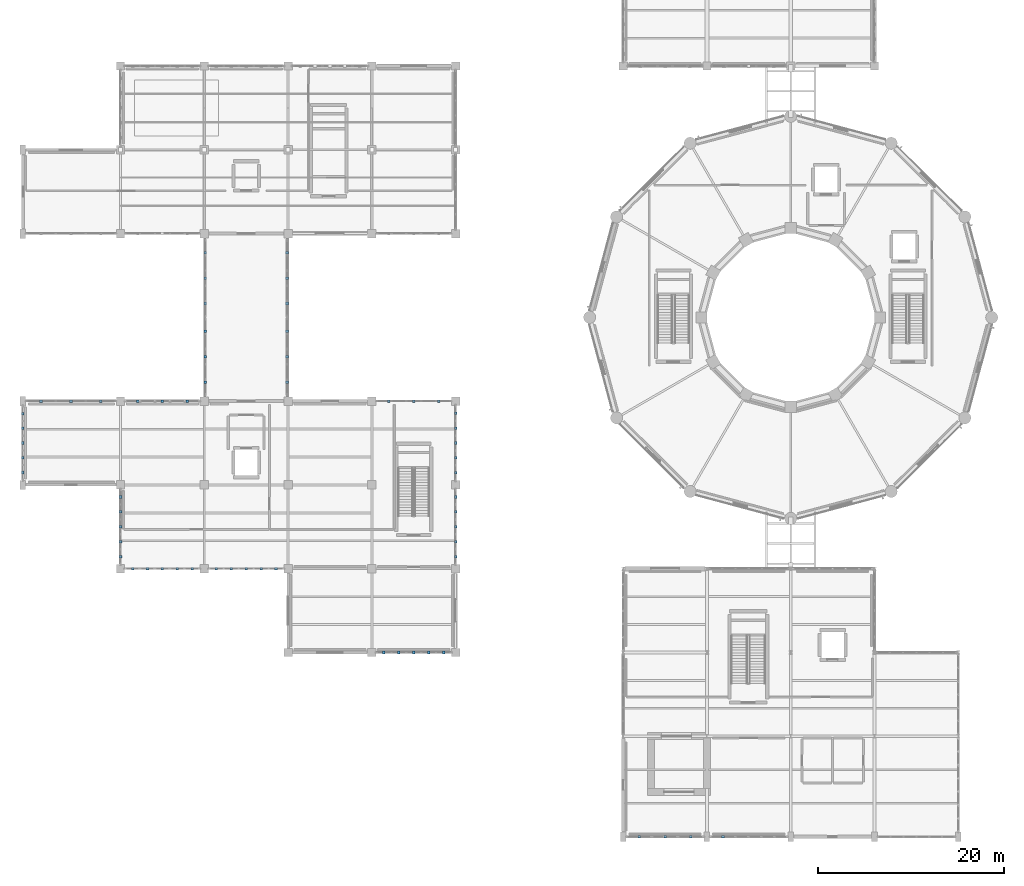
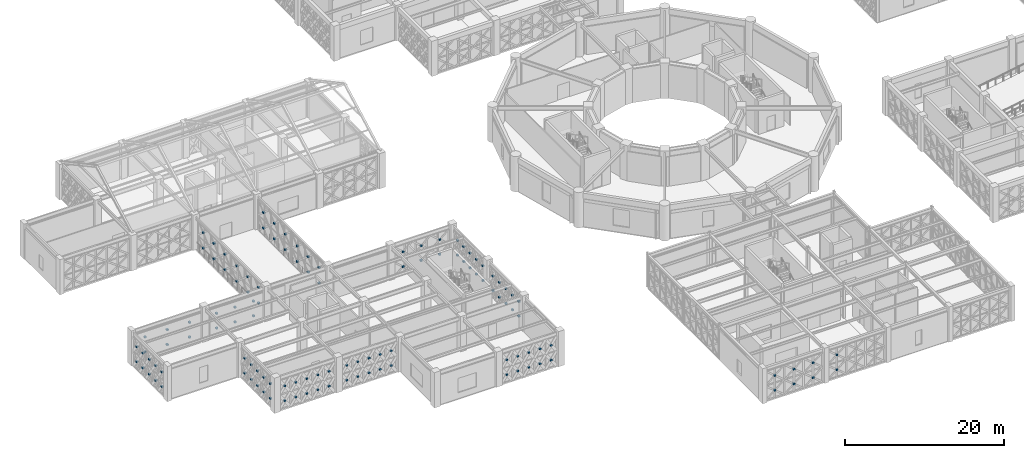
# One storey, part 149 of 166: 120 discrete accessories.
"""IFC4 building model written with IfcOpenShell, lengths in metres."""

from ifc_helpers import new_model, si_unit, direction, frame, origin, origin_2d, place, context, subcontext, project, spatial, rectangle, extrude, material, type_object, element, save


model = new_model("IFC4")

# Units and contexts
model_context = context("Model", 3, precision=1e-05, world=origin(), true_north=direction((0.0, 1.0)))
body_context = subcontext(model_context, "Body", "Model", "MODEL_VIEW")
ifc_project = project(units=[si_unit("LENGTHUNIT", "METRE"), si_unit("AREAUNIT", "SQUARE_METRE"), si_unit("VOLUMEUNIT", "CUBIC_METRE"), si_unit("PLANEANGLEUNIT", "RADIAN"), si_unit("MASSUNIT", "GRAM", prefix="KILO")], contexts=[model_context])

# Site, building, storey
site_placement = place(None, origin())
site = spatial("IfcSite", under=ifc_project, at=site_placement, CompositionType="ELEMENT")
building_placement = place(site_placement, origin())
building = spatial("IfcBuilding", under=site, at=building_placement, Name="Haizhuo Lancet Aquarium", CompositionType="ELEMENT")
storey_placement = place(building_placement, frame((0.0, 0.0, 5.39990234375)))
storey = spatial("IfcBuildingStorey", under=building, at=storey_placement, Name="L01", CompositionType="ELEMENT", Elevation=5.39990234375)

# Discrete accessories
ifc_material = material(Name="Steel S355", Category="steel")
discrete_accessory_type = type_object("IfcDiscreteAccessoryType", Name="ACC-END-CAP", PredefinedType="BRACKET", material=ifc_material)
for number, where, z_axis, x_axis, name in (
    (1, (-7.27001953125, -55.800048828125, 1.01806640625), (0.0, 0.0, 1.0), (1.0, 0.0, 0.0), "L01 X-brace crossing gusset plate XN-CW-V4-L01-098-LB05B1"),
    (2, (-7.27001953125, -55.800048828125, 3.2939453125), (0.0, 0.0, 1.0), (1.0, 0.0, 0.0), "L01 X-brace crossing gusset plate XN-CW-V4-L01-098-LB06B1"),
    (3, (-10.72998046875, -55.800048828125, 1.01806640625), (0.0, 0.0, 1.0), (1.0, 0.0, 0.0), "L01 X-brace crossing gusset plate XN-CW-V4-L01-099-LB01B1"),
    (4, (-10.72998046875, -55.800048828125, 3.2939453125), (0.0, 0.0, 1.0), (1.0, 0.0, 0.0), "L01 X-brace crossing gusset plate XN-CW-V4-L01-099-LB02B1"),
    (5, (-13.5, -55.800048828125, 1.01806640625), (0.0, 0.0, 1.0), (1.0, 0.0, 0.0), "L01 X-brace crossing gusset plate XN-CW-V4-L01-099-LB03B1"),
    (6, (-13.5, -55.800048828125, 3.2939453125), (0.0, 0.0, 1.0), (1.0, 0.0, 0.0), "L01 X-brace crossing gusset plate XN-CW-V4-L01-099-LB04B1"),
    (7, (-16.27001953125, -55.800048828125, 1.01806640625), (0.0, 0.0, 1.0), (1.0, 0.0, 0.0), "L01 X-brace crossing gusset plate XN-CW-V4-L01-099-LB05B1"),
    (8, (-16.27001953125, -55.800048828125, 3.2939453125), (0.0, 0.0, 1.0), (1.0, 0.0, 0.0), "L01 X-brace crossing gusset plate XN-CW-V4-L01-099-LB06B1"),
    (9, (-82.5, -16.6640625, 1.01513671875), (0.0, 0.0, 1.0), (1.0, 0.0, 0.0), "L01 X-brace crossing gusset plate XN-CW-V6-L01-202-LB01B1"),
    (10, (-82.5, -16.6640625, 3.28515625), (0.0, 0.0, 1.0), (1.0, 0.0, 0.0), "L01 X-brace crossing gusset plate XN-CW-V6-L01-202-LB02B1"),
    (11, (-82.5, -15.08203125, 1.01513671875), (0.0, 0.0, 1.0), (1.0, 0.0, 0.0), "L01 X-brace crossing gusset plate XN-CW-V6-L01-202-LB03B1"),
    (12, (-82.5, -15.08203125, 3.28515625), (0.0, 0.0, 1.0), (1.0, 0.0, 0.0), "L01 X-brace crossing gusset plate XN-CW-V6-L01-202-LB04B1"),
    (13, (-82.5, -13.5, 1.01513671875), (0.0, 0.0, 1.0), (1.0, 0.0, 0.0), "L01 X-brace crossing gusset plate XN-CW-V6-L01-202-LB05B1"),
    (14, (-82.5, -13.5, 3.28515625), (0.0, 0.0, 1.0), (1.0, 0.0, 0.0), "L01 X-brace crossing gusset plate XN-CW-V6-L01-202-LB06B1"),
    (15, (-82.5, -11.91796875, 1.01513671875), (0.0, 0.0, 1.0), (1.0, 0.0, 0.0), "L01 X-brace crossing gusset plate XN-CW-V6-L01-202-LB07B1"),
    (16, (-82.5, -11.91796875, 3.28515625), (0.0, 0.0, 1.0), (1.0, 0.0, 0.0), "L01 X-brace crossing gusset plate XN-CW-V6-L01-202-LB08B1"),
    (17, (-82.5, -10.3359375, 1.01513671875), (0.0, 0.0, 1.0), (1.0, 0.0, 0.0), "L01 X-brace crossing gusset plate XN-CW-V6-L01-202-LB09B1"),
    (18, (-82.5, -10.3359375, 3.28515625), (0.0, 0.0, 1.0), (1.0, 0.0, 0.0), "L01 X-brace crossing gusset plate XN-CW-V6-L01-202-LB10B1"),
    (19, (-80.544921875, -9.0, 1.01513671875), (0.0, 0.0, 1.0), (1.0, 0.0, 0.0), "L01 X-brace crossing gusset plate XN-CW-V6-L01-203-LB01B1"),
    (20, (-80.544921875, -9.0, 3.28515625), (0.0, 0.0, 1.0), (1.0, 0.0, 0.0), "L01 X-brace crossing gusset plate XN-CW-V6-L01-203-LB02B1"),
    (21, (-77.324951171875, -9.0, 1.01513671875), (0.0, 0.0, 1.0), (1.0, 0.0, 0.0), "L01 X-brace crossing gusset plate XN-CW-V6-L01-203-LB03B1"),
    (22, (-77.324951171875, -9.0, 3.28515625), (0.0, 0.0, 1.0), (1.0, 0.0, 0.0), "L01 X-brace crossing gusset plate XN-CW-V6-L01-203-LB04B1"),
    (23, (-74.10498046875, -9.0, 1.01513671875), (0.0, 0.0, 1.0), (1.0, 0.0, 0.0), "L01 X-brace crossing gusset plate XN-CW-V6-L01-203-LB05B1"),
    (24, (-74.10498046875, -9.0, 3.28515625), (0.0, 0.0, 1.0), (1.0, 0.0, 0.0), "L01 X-brace crossing gusset plate XN-CW-V6-L01-203-LB06B1"),
    (25, (-70.169921875, -9.0, 1.01513671875), (0.0, 0.0, 1.0), (1.0, 0.0, 0.0), "L01 X-brace crossing gusset plate XN-CW-V6-L01-204-LB01B1"),
    (26, (-70.169921875, -9.0, 3.28515625), (0.0, 0.0, 1.0), (1.0, 0.0, 0.0), "L01 X-brace crossing gusset plate XN-CW-V6-L01-204-LB02B1"),
    (27, (-67.5, -9.0, 1.01513671875), (0.0, 0.0, 1.0), (1.0, 0.0, 0.0), "L01 X-brace crossing gusset plate XN-CW-V6-L01-204-LB03B1"),
    (28, (-67.5, -9.0, 3.28515625), (0.0, 0.0, 1.0), (1.0, 0.0, 0.0), "L01 X-brace crossing gusset plate XN-CW-V6-L01-204-LB04B1"),
    (29, (-64.830078125, -9.0, 1.01513671875), (0.0, 0.0, 1.0), (1.0, 0.0, 0.0), "L01 X-brace crossing gusset plate XN-CW-V6-L01-204-LB05B1"),
    (30, (-64.830078125, -9.0, 3.28515625), (0.0, 0.0, 1.0), (1.0, 0.0, 0.0), "L01 X-brace crossing gusset plate XN-CW-V6-L01-204-LB06B1"),
    (31, (-43.169921875, -9.0, 1.01513671875), (0.0, 0.0, 1.0), (1.0, 0.0, 0.0), "L01 X-brace crossing gusset plate XN-CW-V6-L01-205-LB01B1"),
    (32, (-43.169921875, -9.0, 3.28515625), (0.0, 0.0, 1.0), (1.0, 0.0, 0.0), "L01 X-brace crossing gusset plate XN-CW-V6-L01-205-LB02B1"),
    (33, (-40.5, -9.0, 1.01513671875), (0.0, 0.0, 1.0), (1.0, 0.0, 0.0), "L01 X-brace crossing gusset plate XN-CW-V6-L01-205-LB03B1"),
    (34, (-40.5, -9.0, 3.28515625), (0.0, 0.0, 1.0), (1.0, 0.0, 0.0), "L01 X-brace crossing gusset plate XN-CW-V6-L01-205-LB04B1"),
    (35, (-37.830078125, -9.0, 1.01513671875), (0.0, 0.0, 1.0), (1.0, 0.0, 0.0), "L01 X-brace crossing gusset plate XN-CW-V6-L01-205-LB05B1"),
    (36, (-37.830078125, -9.0, 3.28515625), (0.0, 0.0, 1.0), (1.0, 0.0, 0.0), "L01 X-brace crossing gusset plate XN-CW-V6-L01-205-LB06B1"),
    (37, (-36.0, -10.2958984375, 1.01513671875), (0.0, 0.0, 1.0), (1.0, 0.0, 0.0), "L01 X-brace crossing gusset plate XN-CW-V6-L01-206-LB01B1"),
    (38, (-36.0, -10.2958984375, 3.28515625), (0.0, 0.0, 1.0), (1.0, 0.0, 0.0), "L01 X-brace crossing gusset plate XN-CW-V6-L01-206-LB02B1"),
    (39, (-36.0, -11.89794921875, 1.01513671875), (0.0, 0.0, 1.0), (1.0, 0.0, 0.0), "L01 X-brace crossing gusset plate XN-CW-V6-L01-206-LB03B1"),
    (40, (-36.0, -11.89794921875, 3.28515625), (0.0, 0.0, 1.0), (1.0, 0.0, 0.0), "L01 X-brace crossing gusset plate XN-CW-V6-L01-206-LB04B1"),
    (41, (-36.0, -13.5, 1.01513671875), (0.0, 0.0, 1.0), (1.0, 0.0, 0.0), "L01 X-brace crossing gusset plate XN-CW-V6-L01-206-LB05B1"),
    (42, (-36.0, -13.5, 3.28515625), (0.0, 0.0, 1.0), (1.0, 0.0, 0.0), "L01 X-brace crossing gusset plate XN-CW-V6-L01-206-LB06B1"),
    (43, (-36.0, -15.10205078125, 1.01513671875), (0.0, 0.0, 1.0), (1.0, 0.0, 0.0), "L01 X-brace crossing gusset plate XN-CW-V6-L01-206-LB07B1"),
    (44, (-36.0, -15.10205078125, 3.28515625), (0.0, 0.0, 1.0), (1.0, 0.0, 0.0), "L01 X-brace crossing gusset plate XN-CW-V6-L01-206-LB08B1"),
    (45, (-36.0, -16.7041015625, 1.01513671875), (0.0, 0.0, 1.0), (1.0, 0.0, 0.0), "L01 X-brace crossing gusset plate XN-CW-V6-L01-206-LB09B1"),
    (46, (-36.0, -16.7041015625, 3.28515625), (0.0, 0.0, 1.0), (1.0, 0.0, 0.0), "L01 X-brace crossing gusset plate XN-CW-V6-L01-206-LB10B1"),
    (47, (-36.0, -19.2958984375, 1.01513671875), (0.0, 0.0, 1.0), (1.0, 0.0, 0.0), "L01 X-brace crossing gusset plate XN-CW-V6-L01-207-LB01B1"),
    (48, (-36.0, -19.2958984375, 3.28515625), (0.0, 0.0, 1.0), (1.0, 0.0, 0.0), "L01 X-brace crossing gusset plate XN-CW-V6-L01-207-LB02B1"),
    (49, (-36.0, -20.89794921875, 1.01513671875), (0.0, 0.0, 1.0), (1.0, 0.0, 0.0), "L01 X-brace crossing gusset plate XN-CW-V6-L01-207-LB03B1"),
    (50, (-36.0, -20.89794921875, 3.28515625), (0.0, 0.0, 1.0), (1.0, 0.0, 0.0), "L01 X-brace crossing gusset plate XN-CW-V6-L01-207-LB04B1"),
    (51, (-36.0, -22.5, 1.01513671875), (0.0, 0.0, 1.0), (1.0, 0.0, 0.0), "L01 X-brace crossing gusset plate XN-CW-V6-L01-207-LB05B1"),
    (52, (-36.0, -22.5, 3.28515625), (0.0, 0.0, 1.0), (1.0, 0.0, 0.0), "L01 X-brace crossing gusset plate XN-CW-V6-L01-207-LB06B1"),
    (53, (-36.0, -24.10205078125, 1.01513671875), (0.0, 0.0, 1.0), (1.0, 0.0, 0.0), "L01 X-brace crossing gusset plate XN-CW-V6-L01-207-LB07B1"),
    (54, (-36.0, -24.10205078125, 3.28515625), (0.0, 0.0, 1.0), (1.0, 0.0, 0.0), "L01 X-brace crossing gusset plate XN-CW-V6-L01-207-LB08B1"),
    (55, (-36.0, -25.7041015625, 1.01513671875), (0.0, 0.0, 1.0), (1.0, 0.0, 0.0), "L01 X-brace crossing gusset plate XN-CW-V6-L01-207-LB09B1"),
    (56, (-36.0, -25.7041015625, 3.28515625), (0.0, 0.0, 1.0), (1.0, 0.0, 0.0), "L01 X-brace crossing gusset plate XN-CW-V6-L01-207-LB10B1"),
    (57, (-37.2958984375, -36.0, 1.01513671875), (0.0, 0.0, 1.0), (1.0, 0.0, 0.0), "L01 X-brace crossing gusset plate XN-CW-V6-L01-208-LB01B1"),
    (58, (-37.2958984375, -36.0, 3.28515625), (0.0, 0.0, 1.0), (1.0, 0.0, 0.0), "L01 X-brace crossing gusset plate XN-CW-V6-L01-208-LB02B1"),
    (59, (-38.89794921875, -36.0, 1.01513671875), (0.0, 0.0, 1.0), (1.0, 0.0, 0.0), "L01 X-brace crossing gusset plate XN-CW-V6-L01-208-LB03B1"),
    (60, (-38.89794921875, -36.0, 3.28515625), (0.0, 0.0, 1.0), (1.0, 0.0, 0.0), "L01 X-brace crossing gusset plate XN-CW-V6-L01-208-LB04B1"),
    (61, (-40.5, -36.0, 1.01513671875), (0.0, 0.0, 1.0), (1.0, 0.0, 0.0), "L01 X-brace crossing gusset plate XN-CW-V6-L01-208-LB05B1"),
    (62, (-40.5, -36.0, 3.28515625), (0.0, 0.0, 1.0), (1.0, 0.0, 0.0), "L01 X-brace crossing gusset plate XN-CW-V6-L01-208-LB06B1"),
    (63, (-42.10205078125, -36.0, 1.01513671875), (0.0, 0.0, 1.0), (1.0, 0.0, 0.0), "L01 X-brace crossing gusset plate XN-CW-V6-L01-208-LB07B1"),
    (64, (-42.10205078125, -36.0, 3.28515625), (0.0, 0.0, 1.0), (1.0, 0.0, 0.0), "L01 X-brace crossing gusset plate XN-CW-V6-L01-208-LB08B1"),
    (65, (-43.7041015625, -36.0, 1.01513671875), (0.0, 0.0, 1.0), (1.0, 0.0, 0.0), "L01 X-brace crossing gusset plate XN-CW-V6-L01-208-LB09B1"),
    (66, (-43.7041015625, -36.0, 3.28515625), (0.0, 0.0, 1.0), (1.0, 0.0, 0.0), "L01 X-brace crossing gusset plate XN-CW-V6-L01-208-LB10B1"),
    (67, (-55.2958984375, -27.0, 1.01513671875), (0.0, 0.0, 1.0), (1.0, 0.0, 0.0), "L01 X-brace crossing gusset plate XN-CW-V6-L01-209-LB01B1"),
    (68, (-55.2958984375, -27.0, 3.28515625), (0.0, 0.0, 1.0), (1.0, 0.0, 0.0), "L01 X-brace crossing gusset plate XN-CW-V6-L01-209-LB02B1"),
    (69, (-56.89794921875, -27.0, 1.01513671875), (0.0, 0.0, 1.0), (1.0, 0.0, 0.0), "L01 X-brace crossing gusset plate XN-CW-V6-L01-209-LB03B1"),
    (70, (-56.89794921875, -27.0, 3.28515625), (0.0, 0.0, 1.0), (1.0, 0.0, 0.0), "L01 X-brace crossing gusset plate XN-CW-V6-L01-209-LB04B1"),
    (71, (-58.5, -27.0, 1.01513671875), (0.0, 0.0, 1.0), (1.0, 0.0, 0.0), "L01 X-brace crossing gusset plate XN-CW-V6-L01-209-LB05B1"),
    (72, (-58.5, -27.0, 3.28515625), (0.0, 0.0, 1.0), (1.0, 0.0, 0.0), "L01 X-brace crossing gusset plate XN-CW-V6-L01-209-LB06B1"),
    (73, (-60.10205078125, -27.0, 1.01513671875), (0.0, 0.0, 1.0), (1.0, 0.0, 0.0), "L01 X-brace crossing gusset plate XN-CW-V6-L01-209-LB07B1"),
    (74, (-60.10205078125, -27.0, 3.28515625), (0.0, 0.0, 1.0), (1.0, 0.0, 0.0), "L01 X-brace crossing gusset plate XN-CW-V6-L01-209-LB08B1"),
    (75, (-61.7041015625, -27.0, 1.01513671875), (0.0, 0.0, 1.0), (1.0, 0.0, 0.0), "L01 X-brace crossing gusset plate XN-CW-V6-L01-209-LB09B1"),
    (76, (-61.7041015625, -27.0, 3.28515625), (0.0, 0.0, 1.0), (1.0, 0.0, 0.0), "L01 X-brace crossing gusset plate XN-CW-V6-L01-209-LB10B1"),
    (77, (-64.2958984375, -27.0, 1.01513671875), (0.0, 0.0, 1.0), (1.0, 0.0, 0.0), "L01 X-brace crossing gusset plate XN-CW-V6-L01-210-LB01B1"),
    (78, (-64.2958984375, -27.0, 3.28515625), (0.0, 0.0, 1.0), (1.0, 0.0, 0.0), "L01 X-brace crossing gusset plate XN-CW-V6-L01-210-LB02B1"),
    (79, (-65.89794921875, -27.0, 1.01513671875), (0.0, 0.0, 1.0), (1.0, 0.0, 0.0), "L01 X-brace crossing gusset plate XN-CW-V6-L01-210-LB03B1"),
    (80, (-65.89794921875, -27.0, 3.28515625), (0.0, 0.0, 1.0), (1.0, 0.0, 0.0), "L01 X-brace crossing gusset plate XN-CW-V6-L01-210-LB04B1"),
    (81, (-67.5, -27.0, 1.01513671875), (0.0, 0.0, 1.0), (1.0, 0.0, 0.0), "L01 X-brace crossing gusset plate XN-CW-V6-L01-210-LB05B1"),
    (82, (-67.5, -27.0, 3.28515625), (0.0, 0.0, 1.0), (1.0, 0.0, 0.0), "L01 X-brace crossing gusset plate XN-CW-V6-L01-210-LB06B1"),
    (83, (-69.10205078125, -27.0, 1.01513671875), (0.0, 0.0, 1.0), (1.0, 0.0, 0.0), "L01 X-brace crossing gusset plate XN-CW-V6-L01-210-LB07B1"),
    (84, (-69.10205078125, -27.0, 3.28515625), (0.0, 0.0, 1.0), (1.0, 0.0, 0.0), "L01 X-brace crossing gusset plate XN-CW-V6-L01-210-LB08B1"),
    (85, (-70.7041015625, -27.0, 1.01513671875), (0.0, 0.0, 1.0), (1.0, 0.0, 0.0), "L01 X-brace crossing gusset plate XN-CW-V6-L01-210-LB09B1"),
    (86, (-70.7041015625, -27.0, 3.28515625), (0.0, 0.0, 1.0), (1.0, 0.0, 0.0), "L01 X-brace crossing gusset plate XN-CW-V6-L01-210-LB10B1"),
    (87, (-72.0, -25.7041015625, 1.01513671875), (0.0, 0.0, 1.0), (1.0, 0.0, 0.0), "L01 X-brace crossing gusset plate XN-CW-V6-L01-211-LB01B1"),
    (88, (-72.0, -25.7041015625, 3.28515625), (0.0, 0.0, 1.0), (1.0, 0.0, 0.0), "L01 X-brace crossing gusset plate XN-CW-V6-L01-211-LB02B1"),
    (89, (-72.0, -24.10205078125, 1.01513671875), (0.0, 0.0, 1.0), (1.0, 0.0, 0.0), "L01 X-brace crossing gusset plate XN-CW-V6-L01-211-LB03B1"),
    (90, (-72.0, -24.10205078125, 3.28515625), (0.0, 0.0, 1.0), (1.0, 0.0, 0.0), "L01 X-brace crossing gusset plate XN-CW-V6-L01-211-LB04B1"),
    (91, (-72.0, -22.5, 1.01513671875), (0.0, 0.0, 1.0), (1.0, 0.0, 0.0), "L01 X-brace crossing gusset plate XN-CW-V6-L01-211-LB05B1"),
    (92, (-72.0, -22.5, 3.28515625), (0.0, 0.0, 1.0), (1.0, 0.0, 0.0), "L01 X-brace crossing gusset plate XN-CW-V6-L01-211-LB06B1"),
    (93, (-72.0, -20.89794921875, 1.01513671875), (0.0, 0.0, 1.0), (1.0, 0.0, 0.0), "L01 X-brace crossing gusset plate XN-CW-V6-L01-211-LB07B1"),
    (94, (-72.0, -20.89794921875, 3.28515625), (0.0, 0.0, 1.0), (1.0, 0.0, 0.0), "L01 X-brace crossing gusset plate XN-CW-V6-L01-211-LB08B1"),
    (95, (-72.0, -19.2958984375, 1.01513671875), (0.0, 0.0, 1.0), (1.0, 0.0, 0.0), "L01 X-brace crossing gusset plate XN-CW-V6-L01-211-LB09B1"),
    (96, (-72.0, -19.2958984375, 3.28515625), (0.0, 0.0, 1.0), (1.0, 0.0, 0.0), "L01 X-brace crossing gusset plate XN-CW-V6-L01-211-LB10B1"),
    (97, (-62.8798828125, -6.9541015625, 1.06787109375), (0.0, 0.0, 1.0), (1.0, 0.0, 0.0), "L01 X-brace crossing gusset plate XN-CW-SB-01-W1-LB01B1"),
    (98, (-62.8798828125, -6.9541015625, 3.44287109375), (0.0, 0.0, 1.0), (1.0, 0.0, 0.0), "L01 X-brace crossing gusset plate XN-CW-SB-01-W1-LB02B1"),
    (99, (-62.8798828125, -4.219970703125, 1.06787109375), (0.0, 0.0, 1.0), (1.0, 0.0, 0.0), "L01 X-brace crossing gusset plate XN-CW-SB-01-W1-LB03B1"),
    (100, (-62.8798828125, -4.219970703125, 3.44287109375), (0.0, 0.0, 1.0), (1.0, 0.0, 0.0), "L01 X-brace crossing gusset plate XN-CW-SB-01-W1-LB04B1"),
    (101, (-62.8798828125, -1.487060546875, 1.06787109375), (0.0, 0.0, 1.0), (1.0, 0.0, 0.0), "L01 X-brace crossing gusset plate XN-CW-SB-01-W1-LB05B1"),
    (102, (-62.8798828125, -1.487060546875, 3.44287109375), (0.0, 0.0, 1.0), (1.0, 0.0, 0.0), "L01 X-brace crossing gusset plate XN-CW-SB-01-W1-LB06B1"),
    (103, (-62.8798828125, 1.487060546875, 1.06787109375), (0.0, 0.0, 1.0), (1.0, 0.0, 0.0), "L01 X-brace crossing gusset plate XN-CW-SB-01-W2-LB01B1"),
    (104, (-62.8798828125, 1.487060546875, 3.44287109375), (0.0, 0.0, 1.0), (1.0, 0.0, 0.0), "L01 X-brace crossing gusset plate XN-CW-SB-01-W2-LB02B1"),
    (105, (-62.8798828125, 4.219970703125, 1.06787109375), (0.0, 0.0, 1.0), (1.0, 0.0, 0.0), "L01 X-brace crossing gusset plate XN-CW-SB-01-W2-LB03B1"),
    (106, (-62.8798828125, 4.219970703125, 3.44287109375), (0.0, 0.0, 1.0), (1.0, 0.0, 0.0), "L01 X-brace crossing gusset plate XN-CW-SB-01-W2-LB04B1"),
    (107, (-62.8798828125, 6.9541015625, 1.06787109375), (0.0, 0.0, 1.0), (1.0, 0.0, 0.0), "L01 X-brace crossing gusset plate XN-CW-SB-01-W2-LB05B1"),
    (108, (-62.8798828125, 6.9541015625, 3.44287109375), (0.0, 0.0, 1.0), (1.0, 0.0, 0.0), "L01 X-brace crossing gusset plate XN-CW-SB-01-W2-LB06B1"),
    (109, (-54.1201171875, -1.487060546875, 1.06787109375), (0.0, 0.0, 1.0), (1.0, 0.0, 0.0), "L01 X-brace crossing gusset plate XN-CW-SB-01-E1-LB01B1"),
    (110, (-54.1201171875, -1.487060546875, 3.44287109375), (0.0, 0.0, 1.0), (1.0, 0.0, 0.0), "L01 X-brace crossing gusset plate XN-CW-SB-01-E1-LB02B1"),
    (111, (-54.1201171875, -4.219970703125, 1.06787109375), (0.0, 0.0, 1.0), (1.0, 0.0, 0.0), "L01 X-brace crossing gusset plate XN-CW-SB-01-E1-LB03B1"),
    (112, (-54.1201171875, -4.219970703125, 3.44287109375), (0.0, 0.0, 1.0), (1.0, 0.0, 0.0), "L01 X-brace crossing gusset plate XN-CW-SB-01-E1-LB04B1"),
    (113, (-54.1201171875, -6.9541015625, 1.06787109375), (0.0, 0.0, 1.0), (1.0, 0.0, 0.0), "L01 X-brace crossing gusset plate XN-CW-SB-01-E1-LB05B1"),
    (114, (-54.1201171875, -6.9541015625, 3.44287109375), (0.0, 0.0, 1.0), (1.0, 0.0, 0.0), "L01 X-brace crossing gusset plate XN-CW-SB-01-E1-LB06B1"),
    (115, (-54.1201171875, 6.9541015625, 1.06787109375), (0.0, 0.0, 1.0), (1.0, 0.0, 0.0), "L01 X-brace crossing gusset plate XN-CW-SB-01-E2-LB01B1"),
    (116, (-54.1201171875, 6.9541015625, 3.44287109375), (0.0, 0.0, 1.0), (1.0, 0.0, 0.0), "L01 X-brace crossing gusset plate XN-CW-SB-01-E2-LB02B1"),
    (117, (-54.1201171875, 4.219970703125, 1.06787109375), (0.0, 0.0, 1.0), (1.0, 0.0, 0.0), "L01 X-brace crossing gusset plate XN-CW-SB-01-E2-LB03B1"),
    (118, (-54.1201171875, 4.219970703125, 3.44287109375), (0.0, 0.0, 1.0), (1.0, 0.0, 0.0), "L01 X-brace crossing gusset plate XN-CW-SB-01-E2-LB04B1"),
    (119, (-54.1201171875, 1.487060546875, 1.06787109375), (0.0, 0.0, 1.0), (1.0, 0.0, 0.0), "L01 X-brace crossing gusset plate XN-CW-SB-01-E2-LB05B1"),
    (120, (-54.1201171875, 1.487060546875, 3.44287109375), (0.0, 0.0, 1.0), (1.0, 0.0, 0.0), "L01 X-brace crossing gusset plate XN-CW-SB-01-E2-LB06B1"),
):
    element("IfcDiscreteAccessory", number, at=place(storey_placement, frame(where, z_axis=z_axis, x_axis=x_axis)), inside=storey, type_object=discrete_accessory_type, material=ifc_material, Name=name, PredefinedType="BRACKET", context=body_context, shape_type="SweptSolid", body=[
        extrude(rectangle(XDim=0.280029296875, YDim=0.280029296875, at=origin_2d()), origin(), (0.0, 0.0, 1.0), 0.239990234375),
    ])

save(model, "model.ifc")
